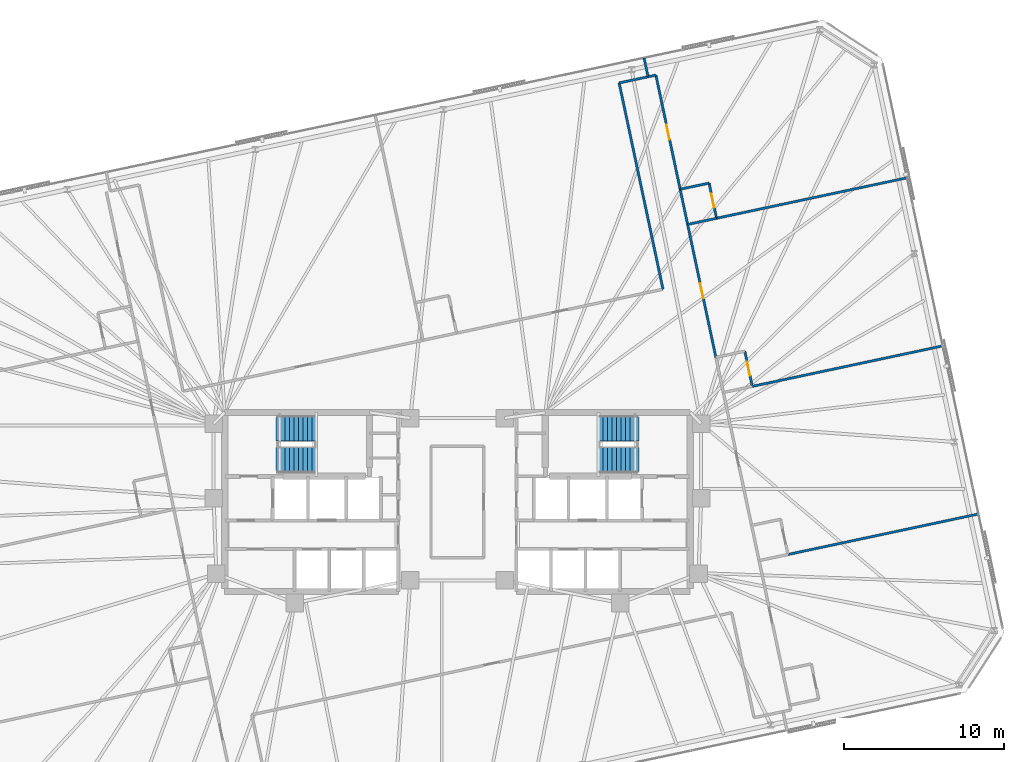
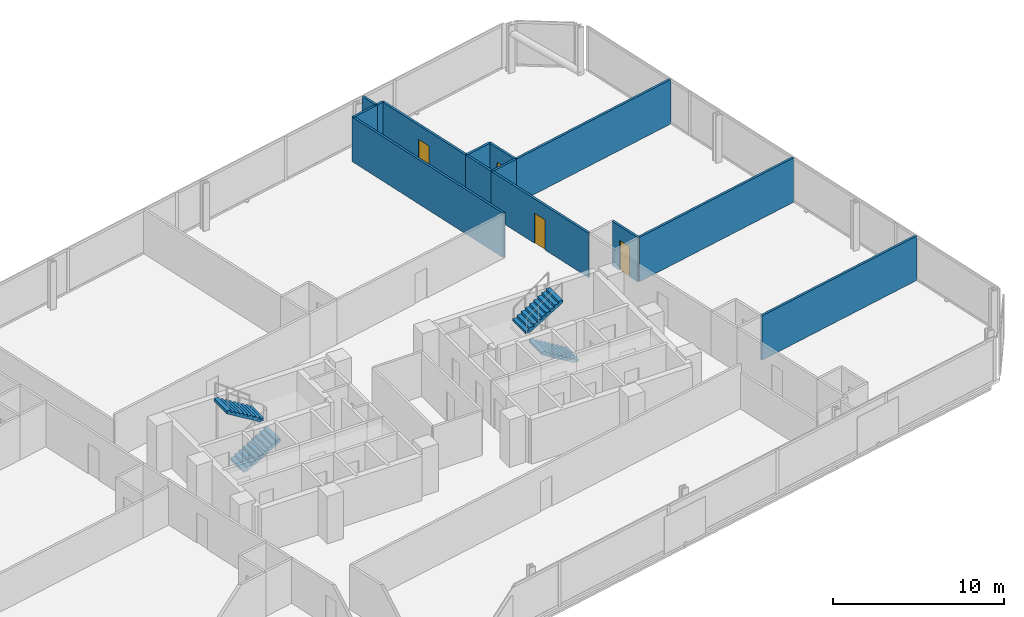
# One storey, part 17 of 19: 14 walls, 4 doors, 4 stair flights, 4 openings, 2 elements without a shape of their own.
"""IFC4 building model written with IfcOpenShell, lengths in metres."""

from ifc_helpers import new_model, si_unit, direction, frame, frame_2d, origin, place, context, subcontext, project, spatial, polyline, rectangle, outline, extrude, material, layer, layer_set, type_object, element, fill, aggregate, save


model = new_model("IFC4")

# Units and contexts
model_context = context("Model", 3, precision=1e-05, world=origin(), true_north=direction((0.0, 1.0)))
body_context = subcontext(model_context, "Body", "Model", "MODEL_VIEW")
ifc_project = project(units=[si_unit("LENGTHUNIT", "METRE"), si_unit("AREAUNIT", "SQUARE_METRE"), si_unit("VOLUMEUNIT", "CUBIC_METRE"), si_unit("PLANEANGLEUNIT", "RADIAN"), si_unit("MASSUNIT", "GRAM", prefix="KILO")], contexts=[model_context])

# Site, building, storey
site_placement = place(None, origin())
site = spatial("IfcSite", under=ifc_project, at=site_placement, CompositionType="ELEMENT")
building_placement = place(site_placement, origin())
building = spatial("IfcBuilding", under=site, at=building_placement, Name="Menara Jurai Vektor", CompositionType="ELEMENT")
storey_placement = place(building_placement, frame((0.0, 0.0, 151.39990234375)))
storey = spatial("IfcBuildingStorey", under=building, at=storey_placement, Name="L38", CompositionType="ELEMENT", Elevation=151.39990234375)

# Walls
ifc_material_1 = material(Name="Gypsum Fireboard Partition", Category="gypsum")
ifc_layer = layer(ifc_material_1, 0.14990234375)
ifc_layer_set = layer_set([ifc_layer], Name="Gypsum Fireboard Partition")
wall_type = type_object("IfcWallType", Name="INT-WALL-CORR-150", PredefinedType="PARTITIONING", material=ifc_layer_set)
wall_1_placement = place(storey_placement, frame((12.86181640625, 13.3076171875, 0.0), z_axis=(0.0, 0.0, 1.0), x_axis=(-0.207911421929, 0.978147657888, 0.0)))
element("IfcWall", 1, at=wall_1_placement, inside=storey, type_object=wall_type, Name="Interior Wall IW-150 L38", PredefinedType="PARTITIONING", context=body_context, shape_type="SweptSolid", body=[
    extrude(rectangle(XDim=13.195068359375, YDim=0.14990234375, at=frame_2d((6.59765625, 0.0))), origin(), (0.0, 0.0, 1.0), 3.175048828125),
])
wall_2_placement = place(storey_placement, frame((10.118408203125, 26.21435546875, 0.0), z_axis=(0.0, 0.0, 1.0), x_axis=(0.978133353907, 0.20797870558, 0.0)))
element("IfcWall", 2, at=wall_2_placement, inside=storey, type_object=wall_type, Name="Interior Wall IW-150 L38", PredefinedType="PARTITIONING", context=body_context, shape_type="SweptSolid", body=[
    extrude(rectangle(XDim=1.85009765625, YDim=0.14990234375, at=frame_2d((0.925048828125, 0.0))), origin(), (0.0, 0.0, 1.0), 3.175048828125),
])

# Wall, opening, door
wall_3_placement = place(storey_placement, frame((16.169921875, 9.04736328125, 0.0), z_axis=(0.0, 0.0, 1.0), x_axis=(-0.2079164651, 0.978146585917, 0.0)))
wall_3 = element("IfcWall", 3, at=wall_3_placement, inside=storey, type_object=wall_type, Name="Interior Wall IW-150 L38", PredefinedType="PARTITIONING", context=body_context, shape_type="SweptSolid", body=[
    extrude(rectangle(XDim=8.500244140625, YDim=0.14990234375, at=frame_2d((4.25, 0.0))), origin(), (0.0, 0.0, 1.0), 3.175048828125),
])
opening_1_placement = place(wall_3_placement, frame((3.77490234375, 0.0, 0.0)))
opening_1 = element("IfcOpeningElement", 4, at=opening_1_placement, cuts=wall_3, Name="Opening D38-25", PredefinedType="OPENING", context=body_context, shape_type="SweptSolid", body=[
    extrude(rectangle(XDim=0.949951171875, YDim=2.14990234375, at=frame_2d((0.47509765625, 1.074951171875))), frame((0.0, 0.0849609375, 0.0), z_axis=(0.0, -1.0, 0.0), x_axis=(1.0, 0.0, 0.0)), (0.0, 0.0, 1.0), 0.169921875),
])
ifc_material_2 = material(Name="Solid Core Timber Fire Door", Category="wood")
door_type_1 = type_object("IfcDoorType", Name="DR-ENTRY-950", OperationType="NOTDEFINED", PredefinedType="DOOR", material=ifc_material_2)
door_1_placement = place(opening_1_placement, origin())
door_1 = element("IfcDoor", 5, at=door_1_placement, inside=storey, type_object=door_type_1, Name="Interior Door D38-25", OperationType="SINGLE_SWING_RIGHT", OverallHeight=2.14990234375, OverallWidth=0.949951171875, PredefinedType="DOOR", context=body_context, shape_type="SweptSolid", body=[
    extrude(rectangle(XDim=0.949951171875, YDim=2.14990234375, at=frame_2d((0.47509765625, 1.074951171875))), frame((0.0, 0.02490234375, 0.0), z_axis=(0.0, -1.0, 0.0), x_axis=(1.0, 0.0, 0.0)), (0.0, 0.0, 1.0), 0.050048828125),
])
fill(opening_1, door_1)

# Wall
wall_4_placement = place(storey_placement, frame((11.927978515625, 26.59912109375, 0.0), z_axis=(0.0, 0.0, 1.0), x_axis=(0.97822210712, 0.207560856478, 0.0)))
element("IfcWall", 6, at=wall_4_placement, inside=storey, type_object=wall_type, Name="Interior Wall IW-150 L38", PredefinedType="PARTITIONING", context=body_context, shape_type="SweptSolid", body=[
    extrude(rectangle(XDim=0.5, YDim=0.14990234375, at=frame_2d((0.25, 0.0))), origin(), (0.0, 0.0, 1.0), 3.175048828125),
])

# Wall, opening, door
wall_5_placement = place(storey_placement, frame((13.934814453125, 19.5625, 0.0), z_axis=(0.0, 0.0, 1.0), x_axis=(-0.207923154003, 0.978145164088, 0.0)))
wall_5 = element("IfcWall", 7, at=wall_5_placement, inside=storey, type_object=wall_type, Name="Interior Wall IW-150 L38", PredefinedType="PARTITIONING", context=body_context, shape_type="SweptSolid", body=[
    extrude(rectangle(XDim=7.2998046875, YDim=0.14990234375, at=frame_2d((3.64990234375, 0.0))), origin(), (0.0, 0.0, 1.0), 3.175048828125),
])
opening_2_placement = place(wall_5_placement, frame((3.175048828125, 0.0, 0.0)))
opening_2 = element("IfcOpeningElement", 8, at=opening_2_placement, cuts=wall_5, Name="Opening D38-27", PredefinedType="OPENING", context=body_context, shape_type="SweptSolid", body=[
    extrude(rectangle(XDim=0.949951171875, YDim=2.14990234375, at=frame_2d((0.47509765625, 1.074951171875))), frame((0.0, 0.0849609375, 0.0), z_axis=(0.0, -1.0, 0.0), x_axis=(1.0, 0.0, 0.0)), (0.0, 0.0, 1.0), 0.169921875),
])
door_2_placement = place(opening_2_placement, origin())
door_2 = element("IfcDoor", 9, at=door_2_placement, inside=storey, type_object=door_type_1, Name="Interior Door D38-27", OperationType="SINGLE_SWING_RIGHT", OverallHeight=2.14990234375, OverallWidth=0.949951171875, PredefinedType="DOOR", context=body_context, shape_type="SweptSolid", body=[
    extrude(rectangle(XDim=0.949951171875, YDim=2.14990234375, at=frame_2d((0.47509765625, 1.074951171875))), frame((0.0, 0.02490234375, 0.0), z_axis=(0.0, -1.0, 0.0), x_axis=(1.0, 0.0, 0.0)), (0.0, 0.0, 1.0), 0.050048828125),
])
fill(opening_2, door_2)

# Walls
wall_6_placement = place(storey_placement, frame((14.402587890625, 17.36181640625, 0.0), z_axis=(0.0, 0.0, 1.0), x_axis=(-0.207913264065, 0.978147266328, 0.0)))
element("IfcWall", 10, at=wall_6_placement, inside=storey, type_object=wall_type, Name="Interior Wall IW-150 L38", PredefinedType="PARTITIONING", context=body_context, shape_type="SweptSolid", body=[
    extrude(rectangle(XDim=2.249755859375, YDim=0.14990234375, at=frame_2d((1.125, 0.0))), origin(), (0.0, 0.0, 1.0), 3.175048828125),
])
wall_7_placement = place(storey_placement, frame((11.927978515625, 26.59912109375, 0.0), z_axis=(0.0, 0.0, 1.0), x_axis=(-0.20795853359, 0.978137642823, 0.0)))
element("IfcWall", 11, at=wall_7_placement, inside=storey, type_object=wall_type, Name="Interior Wall IW-150 L38", PredefinedType="PARTITIONING", context=body_context, shape_type="SweptSolid", body=[
    extrude(rectangle(XDim=1.19970703125, YDim=0.14990234375, at=frame_2d((0.599853515625, 0.0))), origin(), (0.0, 0.0, 1.0), 3.175048828125),
])
for number, where, z_axis, x_axis, name in (
    (12, (20.682373046875, -3.283935546875, 0.0), (0.0, 0.0, 1.0), (0.97814556055, 0.207921288896, 0.0), "Interior Wall IW-150 L38"),
    (13, (18.447265625, 7.231201171875, 0.0), (0.0, 0.0, 1.0), (0.978149634612, 0.207902121941, 0.0), "Interior Wall IW-150 L38"),
):
    element("IfcWall", number, at=place(storey_placement, frame(where, z_axis=z_axis, x_axis=x_axis)), inside=storey, type_object=wall_type, Name=name, PredefinedType="PARTITIONING", context=body_context, shape_type="SweptSolid", body=[
        extrude(rectangle(XDim=12.18701171875, YDim=0.14990234375, at=frame_2d((6.093505859375, 0.0))), origin(), (0.0, 0.0, 1.0), 3.175048828125),
    ])

# Wall, opening, door
wall_8_placement = place(storey_placement, frame((18.447265625, 7.231201171875, 0.0), z_axis=(0.0, 0.0, 1.0), x_axis=(-0.207891197838, 0.978151956427, 0.0)))
wall_8 = element("IfcWall", 14, at=wall_8_placement, inside=storey, type_object=wall_type, Name="Interior Wall IW-150 L38", PredefinedType="PARTITIONING", context=body_context, shape_type="SweptSolid", body=[
    extrude(rectangle(XDim=2.25, YDim=0.14990234375, at=frame_2d((1.125, 0.0))), origin(), (0.0, 0.0, 1.0), 3.175048828125),
])
opening_3_placement = place(wall_8_placement, frame((0.68505859375, 0.0, 0.0)))
opening_3 = element("IfcOpeningElement", 15, at=opening_3_placement, cuts=wall_8, Name="Opening D38-26", PredefinedType="OPENING", context=body_context, shape_type="SweptSolid", body=[
    extrude(rectangle(XDim=0.8798828125, YDim=2.14990234375, at=frame_2d((0.43994140625, 1.074951171875))), frame((0.0, 0.0849609375, 0.0), z_axis=(0.0, -1.0, 0.0), x_axis=(1.0, 0.0, 0.0)), (0.0, 0.0, 1.0), 0.169921875),
])
ifc_material_3 = material(Name="Moisture-Resistant Timber Door", Category="wood")
door_type_2 = type_object("IfcDoorType", Name="DR-BATH-880", OperationType="NOTDEFINED", PredefinedType="DOOR", material=ifc_material_3)
door_3_placement = place(opening_3_placement, origin())
door_3 = element("IfcDoor", 16, at=door_3_placement, inside=storey, type_object=door_type_2, Name="Interior Door D38-26", OperationType="SINGLE_SWING_LEFT", OverallHeight=2.14990234375, OverallWidth=0.8798828125, PredefinedType="DOOR", context=body_context, shape_type="SweptSolid", body=[
    extrude(rectangle(XDim=0.8798828125, YDim=2.14990234375, at=frame_2d((0.43994140625, 1.074951171875))), frame((0.0, 0.02490234375, 0.0), z_axis=(0.0, -1.0, 0.0), x_axis=(1.0, 0.0, 0.0)), (0.0, 0.0, 1.0), 0.050048828125),
])
fill(opening_3, door_3)

# Walls
wall_9_placement = place(storey_placement, frame((16.212158203125, 17.746337890625, 0.0), z_axis=(0.0, 0.0, 1.0), x_axis=(0.978149634612, 0.207902121941, 0.0)))
element("IfcWall", 17, at=wall_9_placement, inside=storey, type_object=wall_type, Name="Interior Wall IW-150 L38", PredefinedType="PARTITIONING", context=body_context, shape_type="SweptSolid", body=[
    extrude(rectangle(XDim=12.18701171875, YDim=0.14990234375, at=frame_2d((6.093505859375, 0.0))), origin(), (0.0, 0.0, 1.0), 3.175048828125),
])
for number, where, z_axis, x_axis, name in (
    (18, (14.402587890625, 17.36181640625, 0.0), (0.0, 0.0, 1.0), (0.978160192495, 0.207852442415, 0.0), "Interior Wall IW-150 L38"),
    (19, (13.934814453125, 19.5625, 0.0), (0.0, 0.0, 1.0), (0.978160192495, 0.207852442415, 0.0), "Interior Wall IW-150 L38"),
):
    element("IfcWall", number, at=place(storey_placement, frame(where, z_axis=z_axis, x_axis=x_axis)), inside=storey, type_object=wall_type, Name=name, PredefinedType="PARTITIONING", context=body_context, shape_type="SweptSolid", body=[
        extrude(rectangle(XDim=1.849853515625, YDim=0.14990234375, at=frame_2d((0.9248046875, 0.0))), origin(), (0.0, 0.0, 1.0), 3.175048828125),
    ])

# Wall, opening, door
wall_10_placement = place(storey_placement, frame((16.212158203125, 17.746337890625, 0.0), z_axis=(0.0, 0.0, 1.0), x_axis=(-0.207913264065, 0.978147266328, 0.0)))
wall_10 = element("IfcWall", 20, at=wall_10_placement, inside=storey, type_object=wall_type, Name="Interior Wall IW-150 L38", PredefinedType="PARTITIONING", context=body_context, shape_type="SweptSolid", body=[
    extrude(rectangle(XDim=2.249755859375, YDim=0.14990234375, at=frame_2d((1.125, 0.0))), origin(), (0.0, 0.0, 1.0), 3.175048828125),
])
opening_4_placement = place(wall_10_placement, frame((0.68505859375, 0.0, 0.0)))
opening_4 = element("IfcOpeningElement", 21, at=opening_4_placement, cuts=wall_10, Name="Opening D38-28", PredefinedType="OPENING", context=body_context, shape_type="SweptSolid", body=[
    extrude(rectangle(XDim=0.8798828125, YDim=2.14990234375, at=frame_2d((0.43994140625, 1.074951171875))), frame((0.0, 0.0849609375, 0.0), z_axis=(0.0, -1.0, 0.0), x_axis=(1.0, 0.0, 0.0)), (0.0, 0.0, 1.0), 0.169921875),
])
door_4_placement = place(opening_4_placement, origin())
door_4 = element("IfcDoor", 22, at=door_4_placement, inside=storey, type_object=door_type_2, Name="Interior Door D38-28", OperationType="SINGLE_SWING_LEFT", OverallHeight=2.14990234375, OverallWidth=0.8798828125, PredefinedType="DOOR", context=body_context, shape_type="SweptSolid", body=[
    extrude(rectangle(XDim=0.8798828125, YDim=2.14990234375, at=frame_2d((0.43994140625, 1.074951171875))), frame((0.0, 0.02490234375, 0.0), z_axis=(0.0, -1.0, 0.0), x_axis=(1.0, 0.0, 0.0)), (0.0, 0.0, 1.0), 0.050048828125),
])
fill(opening_4, door_4)

# Stair, stair flights
ifc_material_4 = material(Name="Concrete C40/50", Category="concrete")
stair_type = type_object("IfcStairType", Name="STAIR-DOGLEG-1500", PredefinedType="HALF_TURN_STAIR", material=ifc_material_4)
stair_1_placement = place(storey_placement, origin())
stair_1 = element("IfcStair", 23, at=stair_1_placement, inside=storey, type_object=stair_type, Name="Protected Exit Stair ST1 L38", PredefinedType="HALF_TURN_STAIR")
stair_flight_type = type_object("IfcStairFlightType", Name="STAIR-FLIGHT-1500", PredefinedType="STRAIGHT", material=ifc_material_4)
stair_flight_1_placement = place(storey_placement, frame((-11.35009765625, 2.64990234375, 0.0), z_axis=(0.0, 0.0, 1.0), x_axis=(1.0, 0.0, 0.0)))
stair_flight_1 = element("IfcStairFlight", 24, at=stair_flight_1_placement, type_object=stair_flight_type, Name="ST1 flight 1", NumberOfRisers=10, NumberOfTreads=9, PredefinedType="STRAIGHT", RiserHeight=0.17, TreadLength=0.28, context=body_context, shape_type="SweptSolid", body=[
    extrude(outline(polyline([(0.0, 0.0), (0.0, 0.169921875), (0.280029296875, 0.169921875), (0.280029296875, 0.340087890625), (0.56005859375, 0.340087890625), (0.56005859375, 0.510009765625), (0.840087890625, 0.510009765625), (0.840087890625, 0.679931640625), (1.1201171875, 0.679931640625), (1.1201171875, 0.85009765625), (1.39990234375, 0.85009765625), (1.39990234375, 1.02001953125), (1.679931640625, 1.02001953125), (1.679931640625, 1.18994140625), (1.9599609375, 1.18994140625), (1.9599609375, 1.360107421875), (2.239990234375, 1.360107421875), (2.239990234375, 1.530029296875), (2.52001953125, 1.530029296875), (2.52001953125, 1.699951171875), (2.52001953125, 1.343017578125), (0.30810546875, 0.0), (0.0, 0.0)])), frame((0.0, 0.75, 0.0), z_axis=(0.0, -1.0, 0.0), x_axis=(1.0, 0.0, 0.0)), (0.0, 0.0, 1.0), 1.5),
])
stair_flight_2_placement = place(storey_placement, frame((-8.830078125, 4.550048828125, 1.7001953125), z_axis=(0.0, 0.0, 1.0), x_axis=(-1.0, 0.0, 0.0)))
stair_flight_2 = element("IfcStairFlight", 25, at=stair_flight_2_placement, type_object=stair_flight_type, Name="ST1 flight 2", NumberOfRisers=10, NumberOfTreads=9, PredefinedType="STRAIGHT", RiserHeight=0.17, TreadLength=0.28, context=body_context, shape_type="SweptSolid", body=[
    extrude(outline(polyline([(0.0, 0.0), (0.0, 0.169921875), (0.280029296875, 0.169921875), (0.280029296875, 0.340087890625), (0.56005859375, 0.340087890625), (0.56005859375, 0.510009765625), (0.840087890625, 0.510009765625), (0.840087890625, 0.679931640625), (1.1201171875, 0.679931640625), (1.1201171875, 0.85009765625), (1.39990234375, 0.85009765625), (1.39990234375, 1.02001953125), (1.679931640625, 1.02001953125), (1.679931640625, 1.18994140625), (1.9599609375, 1.18994140625), (1.9599609375, 1.360107421875), (2.239990234375, 1.360107421875), (2.239990234375, 1.530029296875), (2.52001953125, 1.530029296875), (2.52001953125, 1.699951171875), (2.52001953125, 1.343017578125), (0.30810546875, 0.0), (0.0, 0.0)])), frame((0.0, 0.75, 0.0), z_axis=(0.0, -1.0, 0.0), x_axis=(1.0, 0.0, 0.0)), (0.0, 0.0, 1.0), 1.5),
])
aggregate(stair_1, [stair_flight_1, stair_flight_2])

stair_2_placement = place(storey_placement, origin())
stair_2 = element("IfcStair", 26, at=stair_2_placement, inside=storey, type_object=stair_type, Name="Protected Exit Stair ST2 L38", PredefinedType="HALF_TURN_STAIR")
stair_flight_3_placement = place(storey_placement, frame((11.35009765625, 2.64990234375, 0.0), z_axis=(0.0, 0.0, 1.0), x_axis=(-1.0, 0.0, 0.0)))
stair_flight_3 = element("IfcStairFlight", 27, at=stair_flight_3_placement, type_object=stair_flight_type, Name="ST2 flight 1", NumberOfRisers=10, NumberOfTreads=9, PredefinedType="STRAIGHT", RiserHeight=0.17, TreadLength=0.28, context=body_context, shape_type="SweptSolid", body=[
    extrude(outline(polyline([(0.0, 0.0), (0.0, 0.169921875), (0.280029296875, 0.169921875), (0.280029296875, 0.340087890625), (0.56005859375, 0.340087890625), (0.56005859375, 0.510009765625), (0.840087890625, 0.510009765625), (0.840087890625, 0.679931640625), (1.1201171875, 0.679931640625), (1.1201171875, 0.85009765625), (1.39990234375, 0.85009765625), (1.39990234375, 1.02001953125), (1.679931640625, 1.02001953125), (1.679931640625, 1.18994140625), (1.9599609375, 1.18994140625), (1.9599609375, 1.360107421875), (2.239990234375, 1.360107421875), (2.239990234375, 1.530029296875), (2.52001953125, 1.530029296875), (2.52001953125, 1.699951171875), (2.52001953125, 1.343017578125), (0.30810546875, 0.0), (0.0, 0.0)])), frame((0.0, 0.75, 0.0), z_axis=(0.0, -1.0, 0.0), x_axis=(1.0, 0.0, 0.0)), (0.0, 0.0, 1.0), 1.5),
])
stair_flight_4_placement = place(storey_placement, frame((8.830078125, 4.550048828125, 1.7001953125), z_axis=(0.0, 0.0, 1.0), x_axis=(1.0, 0.0, 0.0)))
stair_flight_4 = element("IfcStairFlight", 28, at=stair_flight_4_placement, type_object=stair_flight_type, Name="ST2 flight 2", NumberOfRisers=10, NumberOfTreads=9, PredefinedType="STRAIGHT", RiserHeight=0.17, TreadLength=0.28, context=body_context, shape_type="SweptSolid", body=[
    extrude(outline(polyline([(0.0, 0.0), (0.0, 0.169921875), (0.280029296875, 0.169921875), (0.280029296875, 0.340087890625), (0.56005859375, 0.340087890625), (0.56005859375, 0.510009765625), (0.840087890625, 0.510009765625), (0.840087890625, 0.679931640625), (1.1201171875, 0.679931640625), (1.1201171875, 0.85009765625), (1.39990234375, 0.85009765625), (1.39990234375, 1.02001953125), (1.679931640625, 1.02001953125), (1.679931640625, 1.18994140625), (1.9599609375, 1.18994140625), (1.9599609375, 1.360107421875), (2.239990234375, 1.360107421875), (2.239990234375, 1.530029296875), (2.52001953125, 1.530029296875), (2.52001953125, 1.699951171875), (2.52001953125, 1.343017578125), (0.30810546875, 0.0), (0.0, 0.0)])), frame((0.0, 0.75, 0.0), z_axis=(0.0, -1.0, 0.0), x_axis=(1.0, 0.0, 0.0)), (0.0, 0.0, 1.0), 1.5),
])
aggregate(stair_2, [stair_flight_3, stair_flight_4])

save(model, "model.ifc")
